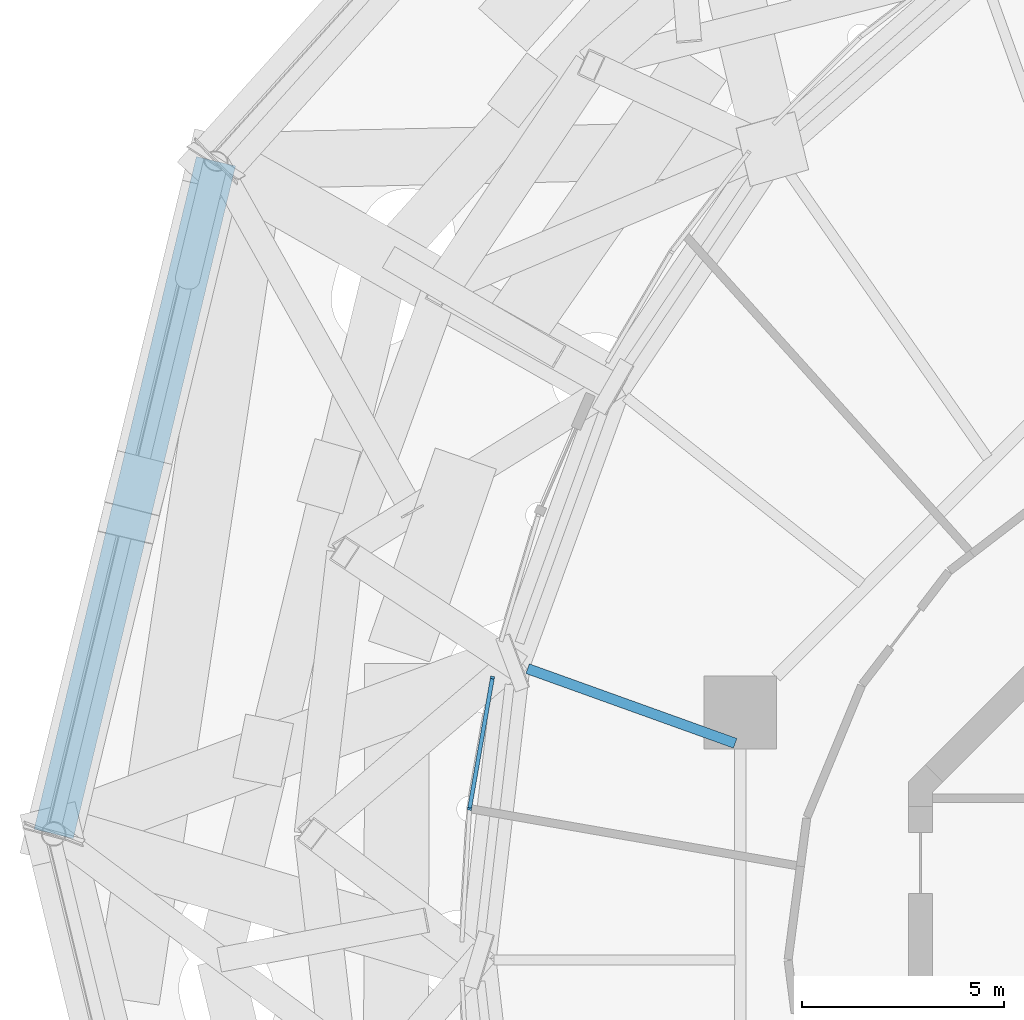
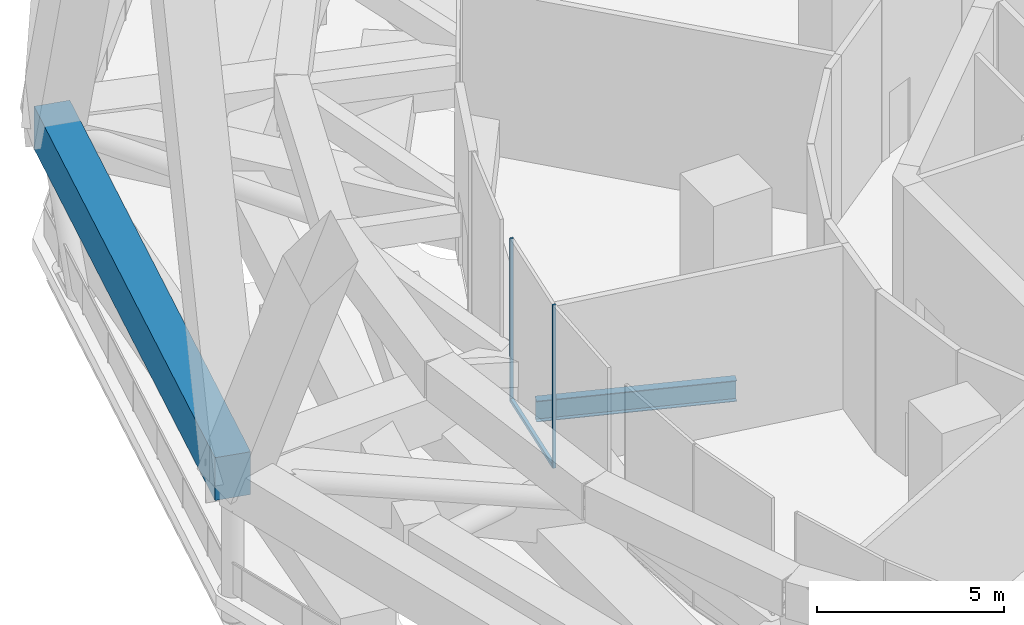
# One storey, part 28 of 60: 4 members, 1 beam, 2 elements without a shape of their own.
"""IFC4 building model written with IfcOpenShell, lengths in metres."""

from ifc_helpers import new_model, si_unit, direction, frame, origin, origin_2d, place, context, subcontext, project, spatial, rectangle, i_section, extrude, material, layer, layer_set, material_profile, profile_set, type_object, element, aggregate, save


model = new_model("IFC4")

# Units and contexts
model_context = context("Model", 3, precision=1e-05, world=origin(), true_north=direction((0.0, 1.0)))
body_context = subcontext(model_context, "Body", "Model", "MODEL_VIEW")
ifc_project = project(units=[si_unit("LENGTHUNIT", "METRE"), si_unit("AREAUNIT", "SQUARE_METRE"), si_unit("VOLUMEUNIT", "CUBIC_METRE"), si_unit("PLANEANGLEUNIT", "RADIAN"), si_unit("MASSUNIT", "GRAM", prefix="KILO")], contexts=[model_context])

# Site, building, storey
site_placement = place(None, origin())
site = spatial("IfcSite", under=ifc_project, at=site_placement, CompositionType="ELEMENT")
building_placement = place(site_placement, origin())
building = spatial("IfcBuilding", under=site, at=building_placement, Name="Nagisa Residences", CompositionType="ELEMENT")
storey_placement = place(building_placement, frame((0.0, 0.0, 206.60009765625)))
storey = spatial("IfcBuildingStorey", under=building, at=storey_placement, Name="L52", CompositionType="ELEMENT", Elevation=206.60009765625)

# Curtain wall, member
ifc_material_1 = material(Name="Aluminium curtain wall system", Category="aluminium")
ifc_layer = layer(ifc_material_1, 0.159912109375)
ifc_layer_set = layer_set([ifc_layer], Name="CW5 CURTAIN WALL")
curtain_wall_type = type_object("IfcCurtainWallType", Name="CW5 CURTAIN WALL", PredefinedType="NOTDEFINED", material=ifc_layer_set)
curtain_wall_1_placement = place(storey_placement, origin())
curtain_wall_1 = element("IfcCurtainWall", 1, at=curtain_wall_1_placement, inside=storey, type_object=curtain_wall_type, Name="cw:CW5:L52:22", PredefinedType="NOTDEFINED")
ifc_material_2 = material(Name="Aluminium", Category="aluminium")
ifc_material_profile_1 = material_profile(ifc_material_2, rectangle(XDim=0.10009765625, YDim=0.06005859375, at=origin_2d()), Name="CW5 MULLION 100x60")
ifc_profile_set_1 = profile_set([ifc_material_profile_1], Name="Aluminium")
member_type_1 = type_object("IfcMemberType", Name="CW5 MULLION 100x60", PredefinedType="MULLION", material=ifc_profile_set_1)
member_1_placement = place(storey_placement, frame((-20.914306640625, 6.98681640625, 0.0), z_axis=(0.0, 0.0, 1.0), x_axis=(0.985063604377, -0.172190868898, 0.0)))
member_1 = element("IfcMember", 2, at=member_1_placement, type_object=member_type_1, Name="CW5 mullion", PredefinedType="MULLION", context=body_context, shape_type="SweptSolid", body=[
    extrude(rectangle(XDim=0.10009765625, YDim=0.06005859375, at=origin_2d()), origin(), (0.0, 0.0, 1.0), 5.33984375),
])

curtain_wall_2_placement = place(storey_placement, origin())
curtain_wall_2 = element("IfcCurtainWall", 3, at=curtain_wall_2_placement, inside=storey, type_object=curtain_wall_type, Name="cw:CW5:L52:23", PredefinedType="NOTDEFINED")
member_2_placement = place(storey_placement, frame((-21.479736328125, 3.734375, 0.0), z_axis=(0.0, 0.0, 1.0), x_axis=(0.998345305184, -0.057503492216, 0.0)))
member_2 = element("IfcMember", 4, at=member_2_placement, type_object=member_type_1, Name="CW5 mullion", PredefinedType="MULLION", context=body_context, shape_type="SweptSolid", body=[
    extrude(rectangle(XDim=0.10009765625, YDim=0.06005859375, at=origin_2d()), origin(), (0.0, 0.0, 1.0), 5.33984375),
])
aggregate(curtain_wall_2, [member_2])

# Member
ifc_material_3 = material(Name="Aluminium", Category="aluminium")
ifc_material_profile_2 = material_profile(ifc_material_3, rectangle(XDim=0.10009765625, YDim=0.1201171875, at=origin_2d()), Name="CW5 TRANSOM 100x120")
ifc_profile_set_2 = profile_set([ifc_material_profile_2], Name="Aluminium")
member_type_2 = type_object("IfcMemberType", Name="CW5 TRANSOM 100x120", PredefinedType="USERDEFINED", material=ifc_profile_set_2)
member_3_placement = place(storey_placement, frame((-20.908935546875, 7.016357421875, 0.059814453125), z_axis=(-0.172190715586, -0.985063631176, 0.0), x_axis=(0.985063631176, -0.172190715586, 0.0)))
member_3 = element("IfcMember", 5, at=member_3_placement, type_object=member_type_2, Name="CW5 transom", ObjectType="TRANSOM", PredefinedType="USERDEFINED", context=body_context, shape_type="SweptSolid", body=[
    extrude(rectangle(XDim=0.10009765625, YDim=0.1201171875, at=origin_2d()), origin(), (0.0, 0.0, 1.0), 3.310791015625),
])

aggregate(curtain_wall_1, [member_1, member_3])

ifc_material_4 = material(Name="Concrete C80", Category="concrete")
ifc_material_profile_3 = material_profile(ifc_material_4, rectangle(XDim=1.0, YDim=1.39990234375, at=origin_2d()), Name="C80 1000x1400")
ifc_profile_set_3 = profile_set([ifc_material_profile_3], Name="Concrete C80")
member_type_3 = type_object("IfcMemberType", Name="Cage ring 5 C80 1000x1400", PredefinedType="CHORD", material=ifc_profile_set_3)
member_4_placement = place(storey_placement, frame((-27.7548828125, 19.7626953125, 3.699951171875), z_axis=(-0.234495574244, -0.972117187205, 0.0), x_axis=(0.972117187205, -0.234495574244, 0.0)))
element("IfcMember", 6, at=member_4_placement, inside=storey, type_object=member_type_3, Name="beam:L52:cg5r006", PredefinedType="CHORD", context=body_context, shape_type="SweptSolid", body=[
    extrude(rectangle(XDim=1.0, YDim=1.39990234375, at=origin_2d()), origin(), (0.0, 0.0, 1.0), 17.12255859375),
])

# Beam
ifc_material_5 = material(Name="Steel ASTM A572 Gr 50", Category="steel")
ifc_material_profile_4 = material_profile(ifc_material_5, i_section(OverallWidth=0.25390625, OverallDepth=0.68408203125, WebThickness=0.012451171875, FlangeThickness=0.018798828125, at=origin_2d()), Name="W690x140")
ifc_profile_set_4 = profile_set([ifc_material_profile_4], Name="Steel ASTM A572 Gr 50")
beam_type = type_object("IfcBeamType", Name="Radial beam W690x140", PredefinedType="BEAM", material=ifc_profile_set_4)
beam_placement = place(storey_placement, frame((-20.043701171875, 7.2060546875, -0.692138671875), z_axis=(0.94103220835, -0.338316985751, 0.0), x_axis=(0.338316985751, 0.94103220835, 0.0)))
element("IfcBeam", 7, at=beam_placement, inside=storey, type_object=beam_type, Name="beam:L52:rb12", PredefinedType="BEAM", context=body_context, shape_type="SweptSolid", body=[
    extrude(i_section(OverallWidth=0.25390625, OverallDepth=0.68408203125, WebThickness=0.012451171875, FlangeThickness=0.018798828125, at=origin_2d()), origin(), (0.0, 0.0, 1.0), 5.456298828125),
])

save(model, "model.ifc")
